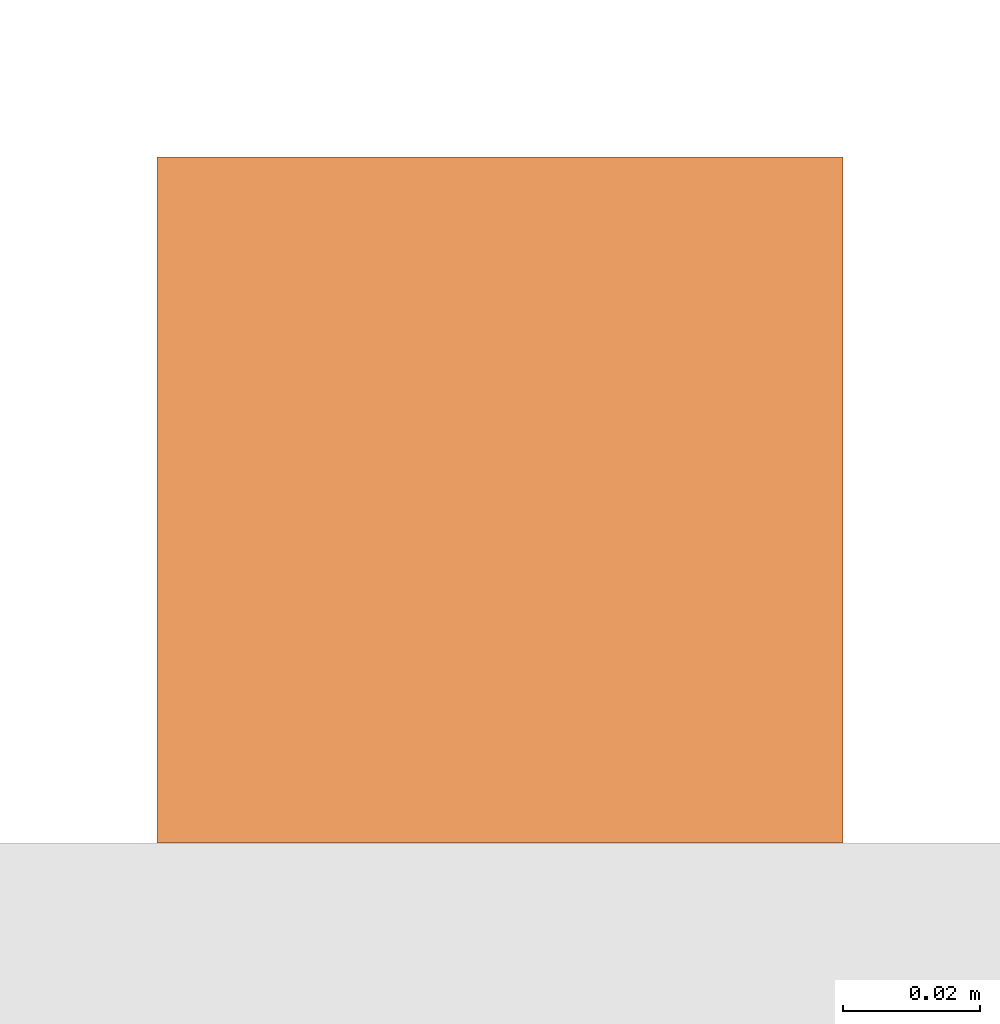
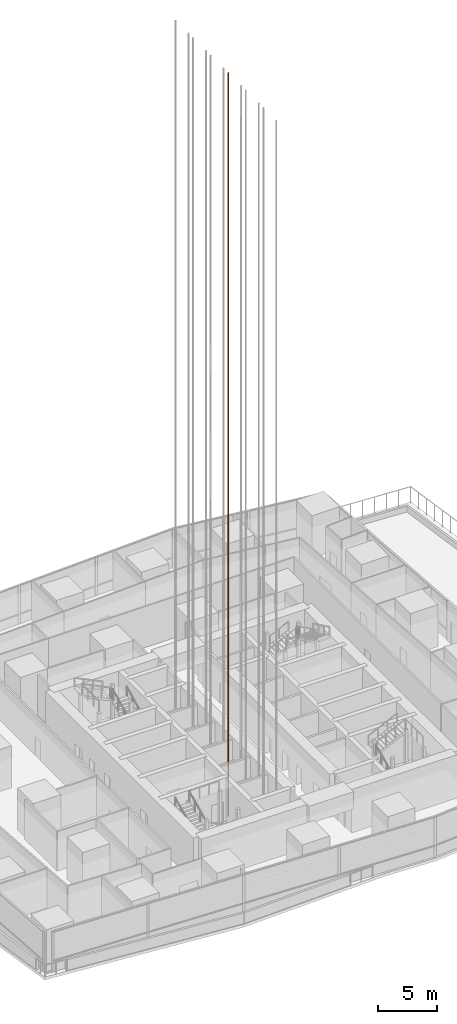
# One storey, part 33 of 39: 1 proxy.
"""IFC4 building model written with IfcOpenShell, lengths in metres."""

from ifc_helpers import new_model, si_unit, direction, frame, origin, origin_2d, place, context, subcontext, project, spatial, rectangle, extrude, material, type_object, element, save


model = new_model("IFC4")

# Units and contexts
model_context = context("Model", 3, precision=1e-05, world=origin(), true_north=direction((0.0, 1.0)))
body_context = subcontext(model_context, "Body", "Model", "MODEL_VIEW")
ifc_project = project(units=[si_unit("LENGTHUNIT", "METRE"), si_unit("AREAUNIT", "SQUARE_METRE"), si_unit("VOLUMEUNIT", "CUBIC_METRE"), si_unit("PLANEANGLEUNIT", "RADIAN"), si_unit("MASSUNIT", "GRAM", prefix="KILO")], contexts=[model_context])

# Site, building, storey
site_placement = place(None, origin())
site = spatial("IfcSite", under=ifc_project, at=site_placement, CompositionType="ELEMENT")
building_placement = place(site_placement, origin())
building = spatial("IfcBuilding", under=site, at=building_placement, Name="Rekha Terrace Tower", CompositionType="ELEMENT")
storey_placement = place(building_placement, frame((0.0, 0.0, 168.199951171875)))
storey = spatial("IfcBuildingStorey", under=building, at=storey_placement, Name="L42", CompositionType="ELEMENT", Elevation=168.199951171875)

# Proxy
ifc_material = material(Name="Steel guide rail", Category="steel")
building_element_proxy_type = type_object("IfcBuildingElementProxyType", Name="LR1 100 lift guide rail", PredefinedType="ELEMENT", material=ifc_material)
proxy_placement = place(storey_placement, frame((34.5, 32.0, -3.2998046875), z_axis=(0.0, 0.0, 1.0), x_axis=(1.0, 0.0, 0.0)))
element("IfcBuildingElementProxy", 1, at=proxy_placement, inside=storey, type_object=building_element_proxy_type, Name="Lift C3 guide rail 2", PredefinedType="ELEMENT", context=body_context, shape_type="SweptSolid", body=[
    extrude(rectangle(XDim=0.10009765625, YDim=0.10009765625, at=origin_2d()), origin(), (0.0, 0.0, 1.0), 77.39990234375),
])

save(model, "model.ifc")
